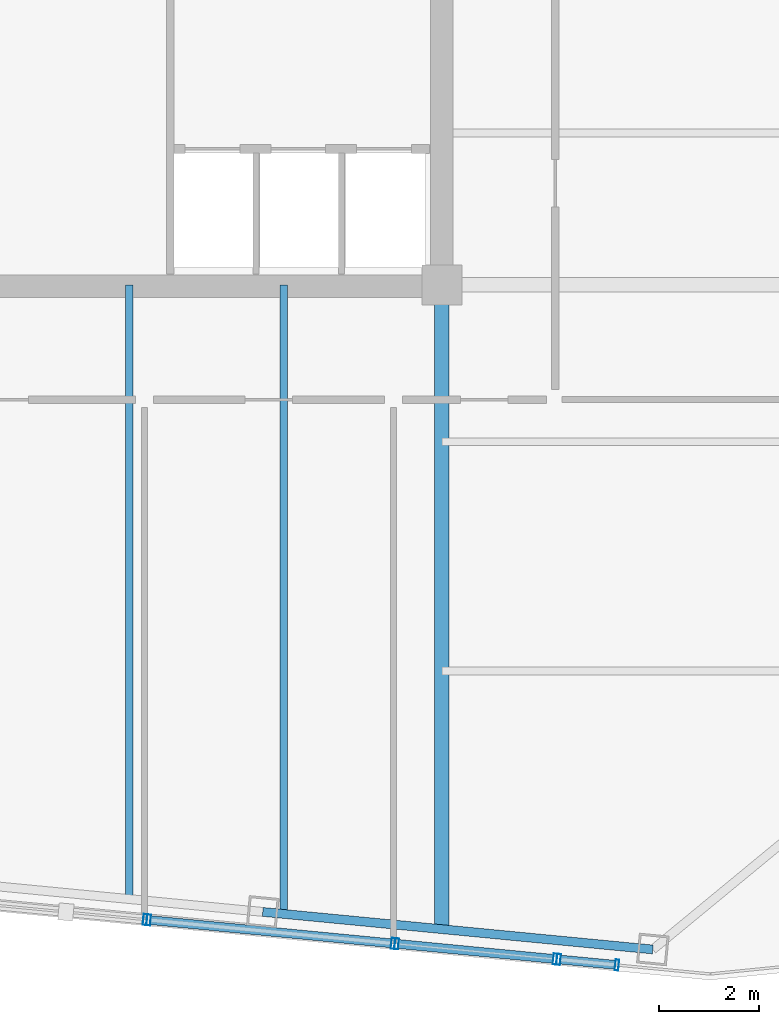
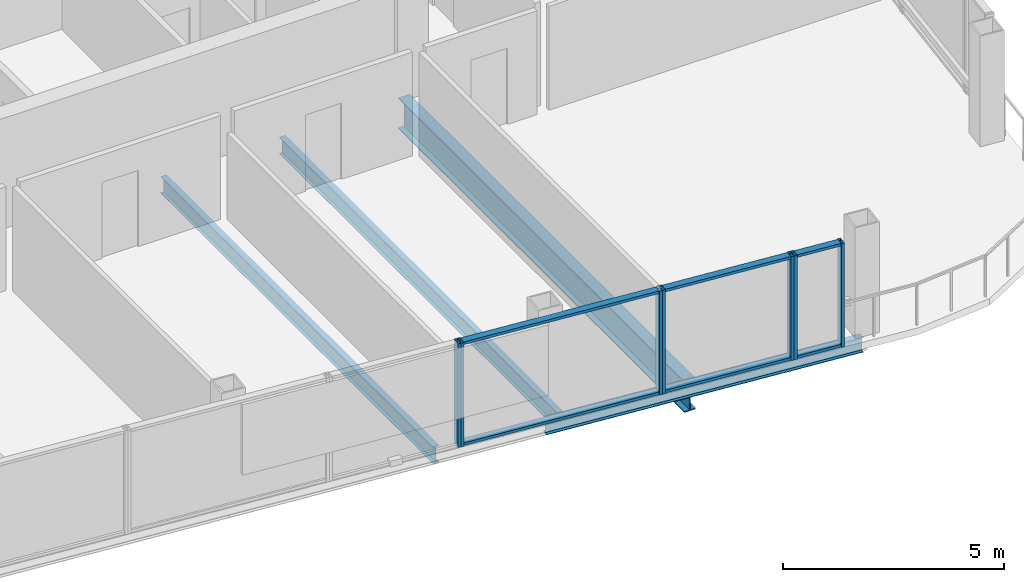
# One storey, part 5 of 27: 13 members, 4 beams, 4 elements without a shape of their own.
"""IFC4 building model written with IfcOpenShell, lengths in metres."""

from ifc_helpers import new_model, si_unit, direction, frame, origin, origin_2d, place, context, subcontext, project, spatial, hollow_rectangle, i_section, extrude, material, layer, layer_set, material_profile, profile_set, type_object, element, aggregate, save


model = new_model("IFC4")

# Units and contexts
model_context = context("Model", 3, precision=1e-05, world=origin(), true_north=direction((0.0, 1.0)))
body_context = subcontext(model_context, "Body", "Model", "MODEL_VIEW")
ifc_project = project(units=[si_unit("LENGTHUNIT", "METRE"), si_unit("AREAUNIT", "SQUARE_METRE"), si_unit("VOLUMEUNIT", "CUBIC_METRE"), si_unit("PLANEANGLEUNIT", "RADIAN"), si_unit("MASSUNIT", "GRAM", prefix="KILO")], contexts=[model_context])

# Site, building, storey
site_placement = place(None, origin())
site = spatial("IfcSite", under=ifc_project, at=site_placement, CompositionType="ELEMENT")
building_placement = place(site_placement, origin())
building = spatial("IfcBuilding", under=site, at=building_placement, Name="Qhalaya Broadcast Tower", CompositionType="ELEMENT")
storey_placement = place(building_placement, frame((0.0, 0.0, 258.10009765625)))
storey = spatial("IfcBuildingStorey", under=building, at=storey_placement, Name="L76", CompositionType="ELEMENT", Elevation=258.10009765625)

# Beams
ifc_material_1 = material(Name="Structural Steel ASTM A992 Grade 50", Category="steel")
ifc_material_profile_1 = material_profile(ifc_material_1, i_section(OverallWidth=0.154052734375, OverallDepth=0.458984375, WebThickness=0.009033203125, FlangeThickness=0.015380859375, at=origin_2d()), Name="W18X46")
ifc_profile_set_1 = profile_set([ifc_material_profile_1], Name="Structural Steel ASTM A992 Grade 50")
beam_type_1 = type_object("IfcBeamType", Name="Composite Floor Joist J04", PredefinedType="JOIST", material=ifc_profile_set_1)
beam_1_placement = place(storey_placement, frame((3.10009765625, -21.058349609375, -0.419677734375), z_axis=(0.0, 1.0, 0.0), x_axis=(-1.0, 0.0, 0.0)))
element("IfcBeam", 1, at=beam_1_placement, inside=storey, type_object=beam_type_1, Name="L76 J04 L76-JNS4-1", PredefinedType="JOIST", context=body_context, shape_type="SweptSolid", body=[
    extrude(i_section(OverallWidth=0.154052734375, OverallDepth=0.458984375, WebThickness=0.009033203125, FlangeThickness=0.015380859375, at=origin_2d()), origin(), (0.0, 0.0, 1.0), 12.308349609375),
])
beam_2_placement = place(storey_placement, frame((6.199951171875, -21.35693359375, -0.419677734375), z_axis=(0.0, 1.0, 0.0), x_axis=(-1.0, 0.0, 0.0)))
element("IfcBeam", 2, at=beam_2_placement, inside=storey, type_object=beam_type_1, Name="L76 J04 L76-JNS5-1", PredefinedType="JOIST", context=body_context, shape_type="SweptSolid", body=[
    extrude(i_section(OverallWidth=0.154052734375, OverallDepth=0.458984375, WebThickness=0.009033203125, FlangeThickness=0.015380859375, at=origin_2d()), origin(), (0.0, 0.0, 1.0), 12.60693359375),
])

# Curtain wall, member
ifc_material_2 = material(Name="Solar-Control Low-E Triple Glazing", Category="glass")
ifc_layer_1 = layer(ifc_material_2, 0.219970703125, Name="Solar-Control Low-E Triple Glazing")
ifc_layer_set_1 = layer_set([ifc_layer_1], Name="Solar-Control Low-E Triple Glazing")
curtain_wall_type_1 = type_object("IfcCurtainWallType", Name="High-Altitude Upper-Shaft Triple Low-E Curtain Wall CW-04", PredefinedType="NOTDEFINED", material=ifc_layer_set_1)
curtain_wall_1_placement = place(storey_placement, origin())
curtain_wall_1 = element("IfcCurtainWall", 3, at=curtain_wall_1_placement, inside=storey, type_object=curtain_wall_type_1, Name="L76 Unitised Curtain Wall L76-CW-S4", PredefinedType="NOTDEFINED")
ifc_material_3 = material(Name="Anodised Aluminium 6063-T6", Category="aluminium")
ifc_material_profile_2 = material_profile(ifc_material_3, hollow_rectangle(XDim=0.074951171875, YDim=0.219970703125, WallThickness=0.00390625, at=origin_2d()), Name="ALU-MUL 75x220x4")
ifc_profile_set_2 = profile_set([ifc_material_profile_2], Name="Anodised Aluminium 6063-T6")
member_type_1 = type_object("IfcMemberType", Name="Unitised Curtain-Wall Mullion M01", PredefinedType="MULLION", material=ifc_profile_set_2)
member_1_placement = place(storey_placement, frame((3.414306640625, -21.49072265625, 0.0), z_axis=(0.0, 0.0, 1.0), x_axis=(0.995396959799, -0.095837844424, 0.0)))
member_1 = element("IfcMember", 4, at=member_1_placement, type_object=member_type_1, Name="CW-04 mullion 2", PredefinedType="MULLION", context=body_context, shape_type="SweptSolid", body=[
    extrude(hollow_rectangle(XDim=0.074951171875, YDim=0.219970703125, WallThickness=0.00390625, at=origin_2d()), origin(), (0.0, 0.0, 1.0), 2.85986328125),
])
aggregate(curtain_wall_1, [member_1])

# Curtain wall, members
ifc_material_4 = material(Name="Fired Architectural Terracotta", Category="masonry")
ifc_layer_2 = layer(ifc_material_4, 0.219970703125, Name="Fired Architectural Terracotta")
ifc_layer_set_2 = layer_set([ifc_layer_2], Name="Fired Architectural Terracotta")
curtain_wall_type_2 = type_object("IfcCurtainWallType", Name="Block-Cap Unitised Terracotta Spandrel Wall CW-07", PredefinedType="NOTDEFINED", material=ifc_layer_set_2)
curtain_wall_2_placement = place(storey_placement, origin())
curtain_wall_2 = element("IfcCurtainWall", 5, at=curtain_wall_2_placement, inside=storey, type_object=curtain_wall_type_2, Name="L76 Unitised Curtain Wall L76-CW-S5", PredefinedType="NOTDEFINED")
member_2_placement = place(storey_placement, frame((3.489013671875, -21.497802734375, 0.0), z_axis=(0.0, 0.0, 1.0), x_axis=(0.995394873929, -0.095859506338, 0.0)))
member_2 = element("IfcMember", 6, at=member_2_placement, type_object=member_type_1, Name="CW-07 mullion 1", PredefinedType="MULLION", context=body_context, shape_type="SweptSolid", body=[
    extrude(hollow_rectangle(XDim=0.074951171875, YDim=0.219970703125, WallThickness=0.00390625, at=origin_2d()), origin(), (0.0, 0.0, 1.0), 2.85986328125),
])
member_3_placement = place(storey_placement, frame((8.391357421875, -21.969970703125, 0.0), z_axis=(0.0, 0.0, 1.0), x_axis=(0.995394873929, -0.095859506338, 0.0)))
member_3 = element("IfcMember", 7, at=member_3_placement, type_object=member_type_1, Name="CW-07 mullion 2", PredefinedType="MULLION", context=body_context, shape_type="SweptSolid", body=[
    extrude(hollow_rectangle(XDim=0.074951171875, YDim=0.219970703125, WallThickness=0.00390625, at=origin_2d()), origin(), (0.0, 0.0, 1.0), 2.85986328125),
])

curtain_wall_3_placement = place(storey_placement, origin())
curtain_wall_3 = element("IfcCurtainWall", 8, at=curtain_wall_3_placement, inside=storey, type_object=curtain_wall_type_1, Name="L76 Unitised Curtain Wall L76-CW-S6", PredefinedType="NOTDEFINED")
member_4_placement = place(storey_placement, frame((8.466064453125, -21.97705078125, 0.0), z_axis=(0.0, 0.0, 1.0), x_axis=(0.995397132343, -0.095836052317, 0.0)))
member_4 = element("IfcMember", 9, at=member_4_placement, type_object=member_type_1, Name="CW-04 mullion 1", PredefinedType="MULLION", context=body_context, shape_type="SweptSolid", body=[
    extrude(hollow_rectangle(XDim=0.074951171875, YDim=0.219970703125, WallThickness=0.00390625, at=origin_2d()), origin(), (0.0, 0.0, 1.0), 2.85986328125),
])
member_5_placement = place(storey_placement, frame((11.643310546875, -22.282958984375, 0.0), z_axis=(0.0, 0.0, 1.0), x_axis=(0.995397132343, -0.095836052317, 0.0)))
member_5 = element("IfcMember", 10, at=member_5_placement, type_object=member_type_1, Name="CW-04 mullion 2", PredefinedType="MULLION", context=body_context, shape_type="SweptSolid", body=[
    extrude(hollow_rectangle(XDim=0.074951171875, YDim=0.219970703125, WallThickness=0.00390625, at=origin_2d()), origin(), (0.0, 0.0, 1.0), 2.85986328125),
])

curtain_wall_4_placement = place(storey_placement, origin())
curtain_wall_4 = element("IfcCurtainWall", 11, at=curtain_wall_4_placement, inside=storey, type_object=curtain_wall_type_2, Name="L76 Unitised Curtain Wall L76-CW-S7", PredefinedType="NOTDEFINED")
member_6_placement = place(storey_placement, frame((11.718017578125, -22.290283203125, 0.0), z_axis=(0.0, 0.0, 1.0), x_axis=(0.995396414656, -0.095843506251, 0.0)))
member_6 = element("IfcMember", 12, at=member_6_placement, type_object=member_type_1, Name="CW-07 mullion 1", PredefinedType="MULLION", context=body_context, shape_type="SweptSolid", body=[
    extrude(hollow_rectangle(XDim=0.074951171875, YDim=0.219970703125, WallThickness=0.00390625, at=origin_2d()), origin(), (0.0, 0.0, 1.0), 2.85986328125),
])
member_7_placement = place(storey_placement, frame((12.887451171875, -22.40283203125, 0.0), z_axis=(0.0, 0.0, 1.0), x_axis=(0.995396414656, -0.095843506251, 0.0)))
member_7 = element("IfcMember", 13, at=member_7_placement, type_object=member_type_1, Name="CW-07 mullion 2", PredefinedType="MULLION", context=body_context, shape_type="SweptSolid", body=[
    extrude(hollow_rectangle(XDim=0.074951171875, YDim=0.219970703125, WallThickness=0.00390625, at=origin_2d()), origin(), (0.0, 0.0, 1.0), 2.85986328125),
])

# Member
ifc_material_profile_3 = material_profile(ifc_material_3, hollow_rectangle(XDim=0.074951171875, YDim=0.179931640625, WallThickness=0.00390625, at=origin_2d()), Name="ALU-TRN 75x180x4")
ifc_profile_set_3 = profile_set([ifc_material_profile_3], Name="Anodised Aluminium 6063-T6")
member_type_2 = type_object("IfcMemberType", Name="Unitised Curtain-Wall Transom T01", PredefinedType="USERDEFINED", material=ifc_profile_set_3)
member_8_placement = place(storey_placement, frame((3.5263671875, -21.50146484375, 0.037353515625), z_axis=(0.995396292684, -0.095844772998, 0.0), x_axis=(0.0, 0.0, 1.0)))
member_8 = element("IfcMember", 14, at=member_8_placement, type_object=member_type_2, Name="CW-07 transom 1.1", ObjectType="TRANSOM", PredefinedType="USERDEFINED", context=body_context, shape_type="SweptSolid", body=[
    extrude(hollow_rectangle(XDim=0.074951171875, YDim=0.179931640625, WallThickness=0.00390625, at=origin_2d()), origin(), (0.0, 0.0, 1.0), 4.849853515625),
])

member_9_placement = place(storey_placement, frame((3.5263671875, -21.50146484375, 2.822509765625), z_axis=(0.995396292684, -0.095844772998, 0.0), x_axis=(0.0, 0.0, 1.0)))
member_9 = element("IfcMember", 15, at=member_9_placement, type_object=member_type_2, Name="CW-07 transom 1.2", ObjectType="TRANSOM", PredefinedType="USERDEFINED", context=body_context, shape_type="SweptSolid", body=[
    extrude(hollow_rectangle(XDim=0.074951171875, YDim=0.179931640625, WallThickness=0.00390625, at=origin_2d()), origin(), (0.0, 0.0, 1.0), 4.849853515625),
])

aggregate(curtain_wall_2, [member_2, member_3, member_8, member_9])

member_10_placement = place(storey_placement, frame((8.50341796875, -21.980712890625, 0.037353515625), z_axis=(0.995400988936, -0.095795987525, 0.0), x_axis=(0.0, 0.0, 1.0)))
member_10 = element("IfcMember", 16, at=member_10_placement, type_object=member_type_2, Name="CW-04 transom 1.1", ObjectType="TRANSOM", PredefinedType="USERDEFINED", context=body_context, shape_type="SweptSolid", body=[
    extrude(hollow_rectangle(XDim=0.074951171875, YDim=0.179931640625, WallThickness=0.00390625, at=origin_2d()), origin(), (0.0, 0.0, 1.0), 3.116943359375),
])

member_11_placement = place(storey_placement, frame((8.50341796875, -21.980712890625, 2.822509765625), z_axis=(0.995400988936, -0.095795987525, 0.0), x_axis=(0.0, 0.0, 1.0)))
member_11 = element("IfcMember", 17, at=member_11_placement, type_object=member_type_2, Name="CW-04 transom 1.2", ObjectType="TRANSOM", PredefinedType="USERDEFINED", context=body_context, shape_type="SweptSolid", body=[
    extrude(hollow_rectangle(XDim=0.074951171875, YDim=0.179931640625, WallThickness=0.00390625, at=origin_2d()), origin(), (0.0, 0.0, 1.0), 3.116943359375),
])

aggregate(curtain_wall_3, [member_4, member_5, member_10, member_11])

member_12_placement = place(storey_placement, frame((11.75537109375, -22.293701171875, 0.037353515625), z_axis=(0.995393156894, -0.095877334176, 0.0), x_axis=(0.0, 0.0, 1.0)))
member_12 = element("IfcMember", 18, at=member_12_placement, type_object=member_type_2, Name="CW-07 transom 1.1", ObjectType="TRANSOM", PredefinedType="USERDEFINED", context=body_context, shape_type="SweptSolid", body=[
    extrude(hollow_rectangle(XDim=0.074951171875, YDim=0.179931640625, WallThickness=0.00390625, at=origin_2d()), origin(), (0.0, 0.0, 1.0), 1.10009765625),
])

member_13_placement = place(storey_placement, frame((11.75537109375, -22.293701171875, 2.822509765625), z_axis=(0.995393156894, -0.095877334176, 0.0), x_axis=(0.0, 0.0, 1.0)))
member_13 = element("IfcMember", 19, at=member_13_placement, type_object=member_type_2, Name="CW-07 transom 1.2", ObjectType="TRANSOM", PredefinedType="USERDEFINED", context=body_context, shape_type="SweptSolid", body=[
    extrude(hollow_rectangle(XDim=0.074951171875, YDim=0.179931640625, WallThickness=0.00390625, at=origin_2d()), origin(), (0.0, 0.0, 1.0), 1.10009765625),
])

aggregate(curtain_wall_4, [member_6, member_7, member_12, member_13])

# Beams
ifc_material_profile_4 = material_profile(ifc_material_1, i_section(OverallWidth=0.2919921875, OverallDepth=0.85888671875, WebThickness=0.01708984375, FlangeThickness=0.031005859375, at=origin_2d()), Name="W33X169")
ifc_profile_set_4 = profile_set([ifc_material_profile_4], Name="Structural Steel ASTM A992 Grade 50")
beam_type_2 = type_object("IfcBeamType", Name="Upper Block Primary Girder PG4", PredefinedType="USERDEFINED", material=ifc_profile_set_4)
beam_3_placement = place(storey_placement, frame((9.375, -21.66259765625, -0.61962890625), z_axis=(0.0, 1.0, 0.0), x_axis=(-1.0, 0.0, 0.0)))
element("IfcBeam", 20, at=beam_3_placement, inside=storey, type_object=beam_type_2, Name="L76 PG4 L76-PGXS2-1", ObjectType="GIRDER", PredefinedType="USERDEFINED", context=body_context, shape_type="SweptSolid", body=[
    extrude(i_section(OverallWidth=0.2919921875, OverallDepth=0.85888671875, WebThickness=0.01708984375, FlangeThickness=0.031005859375, at=origin_2d()), origin(), (0.0, 0.0, 1.0), 12.91259765625),
])
ifc_material_profile_5 = material_profile(ifc_material_1, i_section(OverallWidth=0.177978515625, OverallDepth=0.406005859375, WebThickness=0.0078125, FlangeThickness=0.0126953125, at=origin_2d()), Name="W16X40")
ifc_profile_set_5 = profile_set([ifc_material_profile_5], Name="Structural Steel ASTM A992 Grade 50")
beam_type_3 = type_object("IfcBeamType", Name="Upper Perimeter Spandrel Beam SP2", PredefinedType="SPANDREL", material=ifc_profile_set_5)
beam_4_placement = place(storey_placement, frame((5.77783203125, -21.33642578125, -0.39306640625), z_axis=(0.995397308407, -0.095834223619, 0.0), x_axis=(0.095834223619, 0.995397308407, 0.0)))
element("IfcBeam", 21, at=beam_4_placement, inside=storey, type_object=beam_type_3, Name="L76 SP2 L76-SPR-03", PredefinedType="SPANDREL", context=body_context, shape_type="SweptSolid", body=[
    extrude(i_section(OverallWidth=0.177978515625, OverallDepth=0.406005859375, WebThickness=0.0078125, FlangeThickness=0.0126953125, at=origin_2d()), origin(), (0.0, 0.0, 1.0), 7.86669921875),
])

save(model, "model.ifc")
